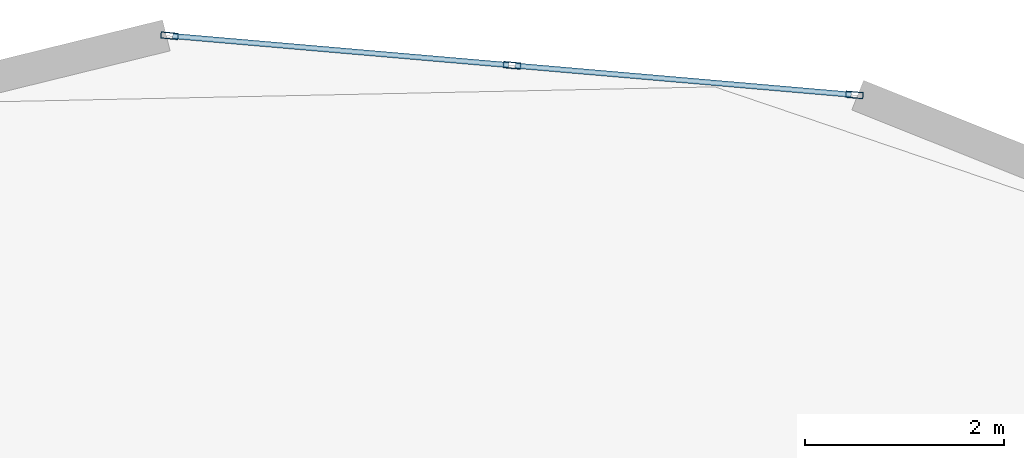
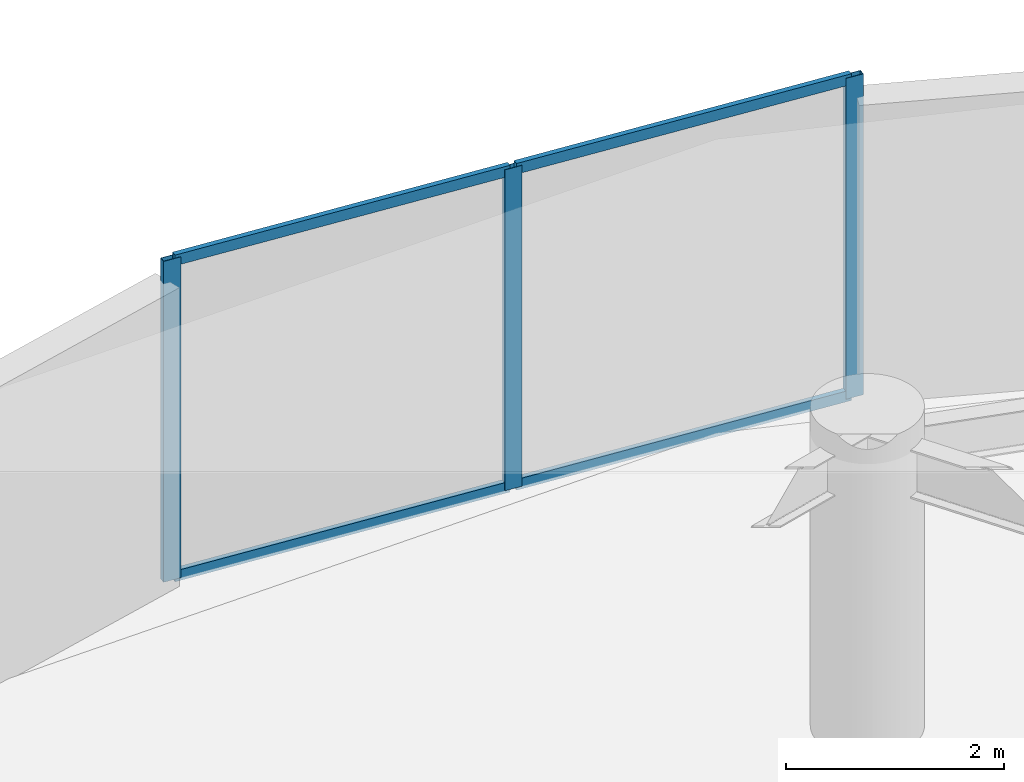
# One storey, part 15 of 22: 7 members, 1 element without a shape of its own.
"""IFC4 building model written with IfcOpenShell, lengths in metres."""

import ifcopenshell
import ifcopenshell.guid

model = None  # the IFC model being written
_history = None  # IfcOwnerHistory: only IFC2X3 demands one
_inside = {}  # id of a spatial element -> (the spatial element, [elements in it])
_under = {}  # id of a project, library or spatial element -> (it, [spatial elements below it])
_declared = {}  # id of a project -> (the project, [libraries it declares])
_typed = {}  # id of a type object -> (the type object, [elements of that type])
_made_of = {}  # id of a material, layer set ... -> (it, [elements and type objects made of it])


def new_model(schema):
    """Start an empty IFC model of exactly this schema.

    Asked for "IFC4X3", IfcOpenShell would pick the latest addendum, in which some entities
    have other attributes; the version numbers below select the first issue.
    IFC2X3 requires an IfcOwnerHistory on every rooted entity: one is made here for all.
    """
    global model, _history
    if schema == "IFC4X3":
        model = ifcopenshell.file(schema_version=(4, 3, 0, 0))
    else:
        model = ifcopenshell.file(schema=schema)
    _inside.clear()
    _under.clear()
    _declared.clear()
    _typed.clear()
    _made_of.clear()
    _history = None
    if model.schema == "IFC2X3":
        org = make("IfcOrganization", Name="unknown")
        user = make(
            "IfcPersonAndOrganization",
            ThePerson=make("IfcPerson", FamilyName="unknown"),
            TheOrganization=org,
        )
        app = make(
            "IfcApplication",
            ApplicationDeveloper=org,
            Version="unknown",
            ApplicationFullName="unknown",
            ApplicationIdentifier="unknown",
        )
        _history = make(
            "IfcOwnerHistory",
            OwningUser=user,
            OwningApplication=app,
            ChangeAction="ADDED",
            CreationDate=0,
        )
    return model


def make(cls, **values):
    """One entity of the class cls with the attributes given. An attribute that is None is left unset."""
    return model.create_entity(
        cls, **{name: value for name, value in values.items() if value is not None}
    )


def rooted(cls, **values):
    """An entity with a GlobalId (a new one), such as an element, a storey or a relation."""
    return make(cls, GlobalId=ifcopenshell.guid.new(), OwnerHistory=_history, **values)


def si_unit(unit_type, name, prefix=None):
    """IfcSIUnit, for example si_unit("LENGTHUNIT", "METRE", prefix="MILLI")."""
    return make("IfcSIUnit", UnitType=unit_type, Prefix=prefix, Name=name)


def assignment(units):
    """IfcUnitAssignment: the units of a project."""
    return None if units is None else make("IfcUnitAssignment", Units=units)


def point(xyz):
    """IfcCartesianPoint."""
    return None if xyz is None else make("IfcCartesianPoint", Coordinates=xyz)


def direction(xyz):
    """IfcDirection."""
    return None if xyz is None else make("IfcDirection", DirectionRatios=xyz)


def frame(location, z_axis=None, x_axis=None):
    """IfcAxis2Placement3D, a coordinate frame: its origin and axes. An axis left out is left unset."""
    return make(
        "IfcAxis2Placement3D",
        Location=point(location),
        Axis=direction(z_axis),
        RefDirection=direction(x_axis),
    )


def frame_2d(location, x_axis=None):
    """IfcAxis2Placement2D, a coordinate frame in the plane: its origin and x axis."""
    return make(
        "IfcAxis2Placement2D", Location=point(location), RefDirection=direction(x_axis)
    )


def origin():
    """The frame at (0, 0, 0) with its axes left unset."""
    return frame((0.0, 0.0, 0.0))


def origin_2d():
    """The frame at (0, 0) in the plane with its x axis left unset."""
    return frame_2d((0.0, 0.0))


def place(relative_to, where):
    """IfcLocalPlacement: puts the frame where relative to a parent placement (None: the world)."""
    return make(
        "IfcLocalPlacement", PlacementRelTo=relative_to, RelativePlacement=where
    )


def context(
    kind, dimensions, precision=None, world=None, true_north=None, identifier=None
):
    """IfcGeometricRepresentationContext, for example the 3D "Model" context."""
    return make(
        "IfcGeometricRepresentationContext",
        ContextIdentifier=identifier,
        ContextType=kind,
        CoordinateSpaceDimension=dimensions,
        Precision=precision,
        WorldCoordinateSystem=world,
        TrueNorth=true_north,
    )


def subcontext(parent, identifier, kind, view, scale=None):
    """IfcGeometricRepresentationSubContext, for example "Body" below "Model"."""
    return make(
        "IfcGeometricRepresentationSubContext",
        ContextIdentifier=identifier,
        ContextType=kind,
        ParentContext=parent,
        TargetScale=scale,
        TargetView=view,
    )


def project(units=None, contexts=None):
    """IfcProject with its units and contexts."""
    return rooted(
        "IfcProject",
        Name="project",
        RepresentationContexts=contexts,
        UnitsInContext=assignment(units),
    )


def spatial(cls, under=None, at=None, **own):
    """A site, building, storey or space (cls), placed at a placement, below another one or the project."""
    s = rooted(cls, ObjectPlacement=at, **own)
    if under is not None:
        _under.setdefault(under.id(), (under, []))[1].append(s)
    return s


def profile(cls, at=None, kind="AREA", **sizes):
    """A parametric profile (cls). Its sizes go by their IFC names, for example OverallWidth=200.0."""
    return make(cls, ProfileType=kind, Position=at, **sizes)


def hollow_rectangle(**sizes):
    """IfcRectangleHollowProfileDef."""
    return profile("IfcRectangleHollowProfileDef", **sizes)


def extrude(swept, where, along, depth):
    """IfcExtrudedAreaSolid: the profile swept, set in the frame where, extruded along a direction by depth."""
    return make(
        "IfcExtrudedAreaSolid",
        SweptArea=swept,
        Position=where,
        ExtrudedDirection=direction(along),
        Depth=depth,
    )


def shape(context_of_items, identifier, shape_type, items):
    """IfcShapeRepresentation: the items that make up one representation, for example the "Body"."""
    return make(
        "IfcShapeRepresentation",
        ContextOfItems=context_of_items,
        RepresentationIdentifier=identifier,
        RepresentationType=shape_type,
        Items=items,
    )


def source(mapping_origin, context_of_items, identifier, shape_type, items):
    """IfcRepresentationMap: a shape defined once, which mapped items show again and again."""
    return make(
        "IfcRepresentationMap",
        MappingOrigin=mapping_origin,
        MappedRepresentation=shape(context_of_items, identifier, shape_type, items),
    )


def transform(
    local_origin,
    x_axis=None,
    y_axis=None,
    z_axis=None,
    scale=None,
    scale2=None,
    scale3=None,
    uniform=True,
):
    """IfcCartesianTransformationOperator3D, or its non-uniform kind. x_axis, y_axis, z_axis: its Axis1, 2, 3."""
    if uniform:
        return make(
            "IfcCartesianTransformationOperator3D",
            Axis1=direction(x_axis),
            Axis2=direction(y_axis),
            LocalOrigin=point(local_origin),
            Scale=scale,
            Axis3=direction(z_axis),
        )
    return make(
        "IfcCartesianTransformationOperator3DnonUniform",
        Axis1=direction(x_axis),
        Axis2=direction(y_axis),
        LocalOrigin=point(local_origin),
        Scale=scale,
        Axis3=direction(z_axis),
        Scale2=scale2,
        Scale3=scale3,
    )


def mapped(mapping_source, mapping_target):
    """IfcMappedItem: shows the shape of a source again, moved by a transform."""
    return make(
        "IfcMappedItem", MappingSource=mapping_source, MappingTarget=mapping_target
    )


def material(Name=None, Category=None):
    """IfcMaterial."""
    return make("IfcMaterial", Name=Name, Category=Category)


def layer(
    of_material, thickness, ventilated=None, Name=None, Category=None, Priority=None
):
    """IfcMaterialLayer: one layer of a wall or slab, of a material (None: an air gap)."""
    return make(
        "IfcMaterialLayer",
        Material=of_material,
        LayerThickness=thickness,
        IsVentilated=ventilated,
        Name=Name,
        Category=Category,
        Priority=Priority,
    )


def layer_set(layers, Name=None):
    """IfcMaterialLayerSet."""
    return make("IfcMaterialLayerSet", MaterialLayers=layers, LayerSetName=Name)


def material_profile(
    of_material, cross_section, Name=None, Category=None, Priority=None
):
    """IfcMaterialProfile: a cross section and its material."""
    return make(
        "IfcMaterialProfile",
        Name=Name,
        Material=of_material,
        Profile=cross_section,
        Priority=Priority,
        Category=Category,
    )


def profile_set(profiles, Name=None, composite=None):
    """IfcMaterialProfileSet."""
    return make(
        "IfcMaterialProfileSet",
        Name=Name,
        MaterialProfiles=profiles,
        CompositeProfile=composite,
    )


def made_of(thing, what):
    """Note that an element or type object is made of a material, layer set ...; save() writes the relation."""
    if what is not None:
        _made_of.setdefault(what.id(), (what, []))[1].append(thing)
    return thing


def type_object(cls, material=None, **own):
    """A type object (cls), such as IfcWallType, which elements share."""
    return made_of(rooted(cls, **own), material)


def element(
    cls,
    number,
    at=None,
    inside=None,
    cuts=None,
    type_object=None,
    material=None,
    context=None,
    identifier="Body",
    shape_type=None,
    held_by="IfcProductDefinitionShape",
    body=None,
    shapes=None,
    **own,
):
    """One element of the class cls, such as IfcWall. Its Tag is "e" and its number.

    at: its placement. inside: the storey or other place that contains it. cuts: it is an
    opening in that element (IfcRelVoidsElement). A single representation is given by context,
    identifier, shape_type and body (its items); several are given by shapes. held_by: the class
    of the entity that holds the representations. save() writes the other relations.
    """
    e = rooted(cls, Tag="e%d" % number, ObjectPlacement=at, **own)
    if body is not None:
        shapes = [shape(context, identifier, shape_type, body)]
    if shapes is not None:
        e.Representation = make(held_by, Representations=shapes)
    if inside is not None:
        _inside.setdefault(inside.id(), (inside, []))[1].append(e)
    if cuts is not None:
        rooted(
            "IfcRelVoidsElement", RelatingBuildingElement=cuts, RelatedOpeningElement=e
        )
    if type_object is not None:
        _typed.setdefault(type_object.id(), (type_object, []))[1].append(e)
    return made_of(e, material)


def aggregate(whole, parts):
    """IfcRelAggregates: a whole, such as a stair, and the parts it consists of."""
    return rooted("IfcRelAggregates", RelatingObject=whole, RelatedObjects=parts)


def save(model, path):
    """Write the relations noted so far, then the file.

    IfcRelAggregates (storeys below a building ...), IfcRelContainedInSpatialStructure (elements
    in a storey), IfcRelDefinesByType, IfcRelAssociatesMaterial and IfcRelDeclares: one each for
    every whole, place, type object, material and project.
    """
    for whole, parts in _under.values():
        aggregate(whole, parts)
    for where, things in _inside.values():
        rooted(
            "IfcRelContainedInSpatialStructure",
            RelatedElements=things,
            RelatingStructure=where,
        )
    for kind, things in _typed.values():
        rooted("IfcRelDefinesByType", RelatedObjects=things, RelatingType=kind)
    for what, things in _made_of.values():
        rooted("IfcRelAssociatesMaterial", RelatedObjects=things, RelatingMaterial=what)
    for by, libraries in _declared.values():
        rooted("IfcRelDeclares", RelatingContext=by, RelatedDefinitions=libraries)
    model.write(path)


model = new_model("IFC4")

# Units and contexts
model_context = context("Model", 3, precision=1e-05, world=origin(), true_north=direction((0.0, 1.0)))
body_context = subcontext(model_context, "Body", "Model", "MODEL_VIEW")
ifc_project = project(units=[si_unit("LENGTHUNIT", "METRE"), si_unit("AREAUNIT", "SQUARE_METRE"), si_unit("VOLUMEUNIT", "CUBIC_METRE"), si_unit("PLANEANGLEUNIT", "RADIAN"), si_unit("MASSUNIT", "GRAM", prefix="KILO")], contexts=[model_context])

# Site, building, storey
site_placement = place(None, origin())
site = spatial("IfcSite", under=ifc_project, at=site_placement, CompositionType="ELEMENT")
building_placement = place(site_placement, origin())
building = spatial("IfcBuilding", under=site, at=building_placement, Name="Solvirekh Grand Hotel", CompositionType="ELEMENT")
storey_placement = place(building_placement, frame((0.0, 0.0, 145.800048828125)))
storey = spatial("IfcBuildingStorey", under=building, at=storey_placement, Name="L37", CompositionType="ELEMENT", Elevation=145.800048828125)

# Curtain wall, members
ifc_material = material(Name="Anodized Bronze Aluminium 6063-T6", Category="aluminium")
ifc_layer = layer(ifc_material, 0.175048828125)
ifc_layer_set = layer_set([ifc_layer], Name="Anodized Bronze Aluminium 6063-T6")
curtain_wall_type = type_object("IfcCurtainWallType", Name="CW_Sys3_MidZoneFlushBronzeCW", PredefinedType="NOTDEFINED", material=ifc_layer_set)
curtain_wall_placement = place(storey_placement, origin())
curtain_wall = element("IfcCurtainWall", 1, at=curtain_wall_placement, inside=storey, type_object=curtain_wall_type, Name="L37 unitised bronze-glass curtain wall CW-L37-C08", PredefinedType="NOTDEFINED")
ifc_material_profile_1 = material_profile(ifc_material, hollow_rectangle(XDim=0.06494140625, YDim=0.175048828125, WallThickness=0.0048828125, at=origin_2d()), Name="ALU RHS 175X65X5")
ifc_profile_set_1 = profile_set([ifc_material_profile_1], Name="Anodized Bronze Aluminium 6063-T6")
member_type_1 = type_object("IfcMemberType", Name="CWMullion_Sys3", PredefinedType="MULLION", material=ifc_profile_set_1)
shared_shape_1 = source(origin(), body_context, "Body", "SweptSolid", [
    extrude(hollow_rectangle(XDim=0.06494140625, YDim=0.175048828125, WallThickness=0.0048828125, at=origin_2d()), origin(), (0.0, 0.0, 1.0), 3.599853515625),
])
member_1_placement = place(storey_placement, frame((2.547607421875, 21.6708984375, 0.0), z_axis=(0.0, 0.0, 1.0), x_axis=(-0.086123385444, -0.996284478691, 0.0)))
member_1 = element("IfcMember", 2, at=member_1_placement, type_object=member_type_1, Name="U03 mullion 1", PredefinedType="MULLION", context=body_context, shape_type="MappedRepresentation", body=[
    mapped(shared_shape_1, transform((0.0, 0.0, 0.0), x_axis=(1.0, 0.0, 0.0), y_axis=(0.0, 1.0, 0.0), z_axis=(0.0, 0.0, 1.0), scale=1.0)),
])
member_2_placement = place(storey_placement, frame((-0.902099609375, 21.968994140625, 0.0), z_axis=(0.0, 0.0, 1.0), x_axis=(-0.086123385444, -0.996284478691, 0.0)))
member_2 = element("IfcMember", 3, at=member_2_placement, type_object=member_type_1, Name="U03 mullion 2", PredefinedType="MULLION", context=body_context, shape_type="MappedRepresentation", body=[
    mapped(shared_shape_1, transform((0.0, 0.0, 0.0), x_axis=(1.0, 0.0, 0.0), y_axis=(0.0, 1.0, 0.0), z_axis=(0.0, 0.0, 1.0), scale=1.0)),
])
member_3_placement = place(storey_placement, frame((-4.3515625, 22.26708984375, 0.0), z_axis=(0.0, 0.0, 1.0), x_axis=(-0.086123385444, -0.996284478691, 0.0)))
member_3 = element("IfcMember", 4, at=member_3_placement, type_object=member_type_1, Name="U03 mullion 3", PredefinedType="MULLION", context=body_context, shape_type="MappedRepresentation", body=[
    mapped(shared_shape_1, transform((0.0, 0.0, 0.0), x_axis=(1.0, 0.0, 0.0), y_axis=(0.0, 1.0, 0.0), z_axis=(0.0, 0.0, 1.0), scale=1.0)),
])
ifc_material_profile_2 = material_profile(ifc_material, hollow_rectangle(XDim=0.054931640625, YDim=0.1201171875, WallThickness=0.00390625, at=origin_2d()), Name="ALU RHS 120X55X4")
ifc_profile_set_2 = profile_set([ifc_material_profile_2], Name="Anodized Bronze Aluminium 6063-T6")
member_type_2 = type_object("IfcMemberType", Name="CWTransom_Sys3", PredefinedType="USERDEFINED", material=ifc_profile_set_2)
shared_shape_2 = source(origin(), body_context, "Body", "SweptSolid", [
    extrude(hollow_rectangle(XDim=0.054931640625, YDim=0.1201171875, WallThickness=0.00390625, at=origin_2d()), origin(), (0.0, 0.0, 1.0), 3.3974609375),
])
member_4_placement = place(storey_placement, frame((2.51513671875, 21.673583984375, 0.02734375), z_axis=(-0.996281194908, 0.086161364159, 0.0), x_axis=(-0.086161364159, -0.996281194908, 0.0)))
member_4 = element("IfcMember", 5, at=member_4_placement, type_object=member_type_2, Name="U03 transom 1.1", ObjectType="TRANSOM", PredefinedType="USERDEFINED", context=body_context, shape_type="MappedRepresentation", body=[
    mapped(shared_shape_2, transform((0.0, 0.0, 0.0), x_axis=(1.0, 0.0, 0.0), y_axis=(0.0, 1.0, 0.0), z_axis=(0.0, 0.0, 1.0), scale=1.0)),
])
member_5_placement = place(storey_placement, frame((2.51513671875, 21.673583984375, 3.572509765625), z_axis=(-0.996281194908, 0.086161364159, 0.0), x_axis=(-0.086161364159, -0.996281194908, 0.0)))
member_5 = element("IfcMember", 6, at=member_5_placement, type_object=member_type_2, Name="U03 transom 1.2", ObjectType="TRANSOM", PredefinedType="USERDEFINED", context=body_context, shape_type="MappedRepresentation", body=[
    mapped(shared_shape_2, transform((0.0, 0.0, 0.0), x_axis=(1.0, 0.0, 0.0), y_axis=(0.0, 1.0, 0.0), z_axis=(0.0, 0.0, 1.0), scale=1.0)),
])
shared_shape_3 = source(origin(), body_context, "Body", "SweptSolid", [
    extrude(hollow_rectangle(XDim=0.054931640625, YDim=0.1201171875, WallThickness=0.00390625, at=origin_2d()), origin(), (0.0, 0.0, 1.0), 3.397705078125),
])
member_6_placement = place(storey_placement, frame((-0.934326171875, 21.9716796875, 0.02734375), z_axis=(-0.996281728331, 0.08615519598, 0.0), x_axis=(-0.08615519598, -0.996281728331, 0.0)))
member_6 = element("IfcMember", 7, at=member_6_placement, type_object=member_type_2, Name="U03 transom 2.1", ObjectType="TRANSOM", PredefinedType="USERDEFINED", context=body_context, shape_type="MappedRepresentation", body=[
    mapped(shared_shape_3, transform((0.0, 0.0, 0.0), x_axis=(1.0, 0.0, 0.0), y_axis=(0.0, 1.0, 0.0), z_axis=(0.0, 0.0, 1.0), scale=1.0)),
])
member_7_placement = place(storey_placement, frame((-0.934326171875, 21.9716796875, 3.572509765625), z_axis=(-0.996281728331, 0.08615519598, 0.0), x_axis=(-0.08615519598, -0.996281728331, 0.0)))
member_7 = element("IfcMember", 8, at=member_7_placement, type_object=member_type_2, Name="U03 transom 2.2", ObjectType="TRANSOM", PredefinedType="USERDEFINED", context=body_context, shape_type="MappedRepresentation", body=[
    mapped(shared_shape_3, transform((0.0, 0.0, 0.0), x_axis=(1.0, 0.0, 0.0), y_axis=(0.0, 1.0, 0.0), z_axis=(0.0, 0.0, 1.0), scale=1.0)),
])
aggregate(curtain_wall, [member_1, member_2, member_3, member_4, member_5, member_6, member_7])

save(model, "model.ifc")
